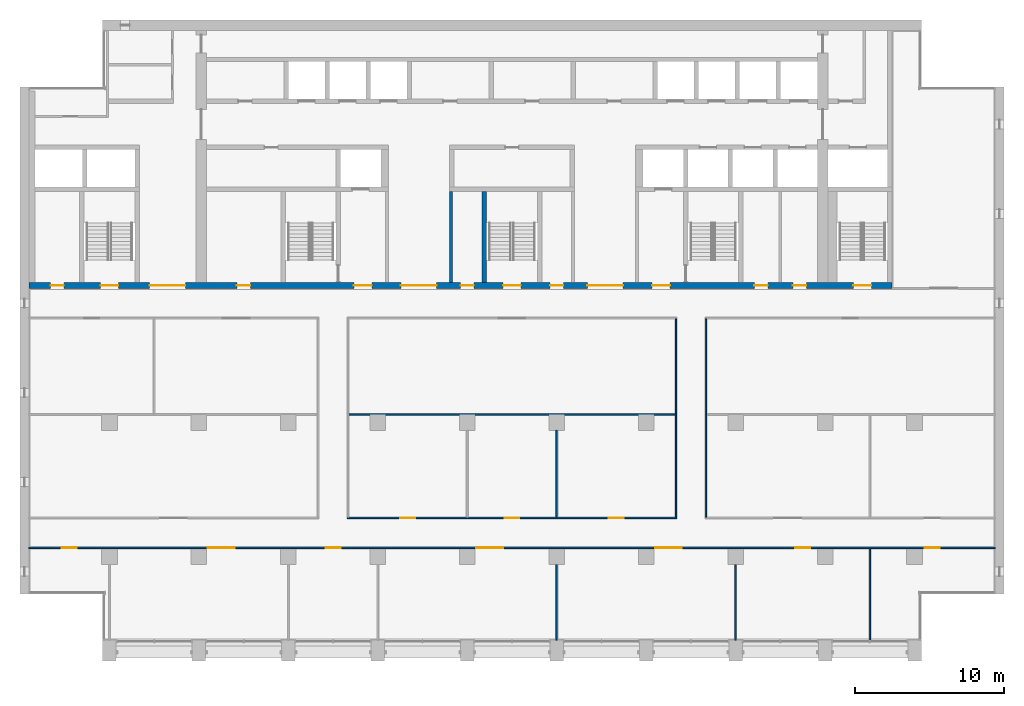
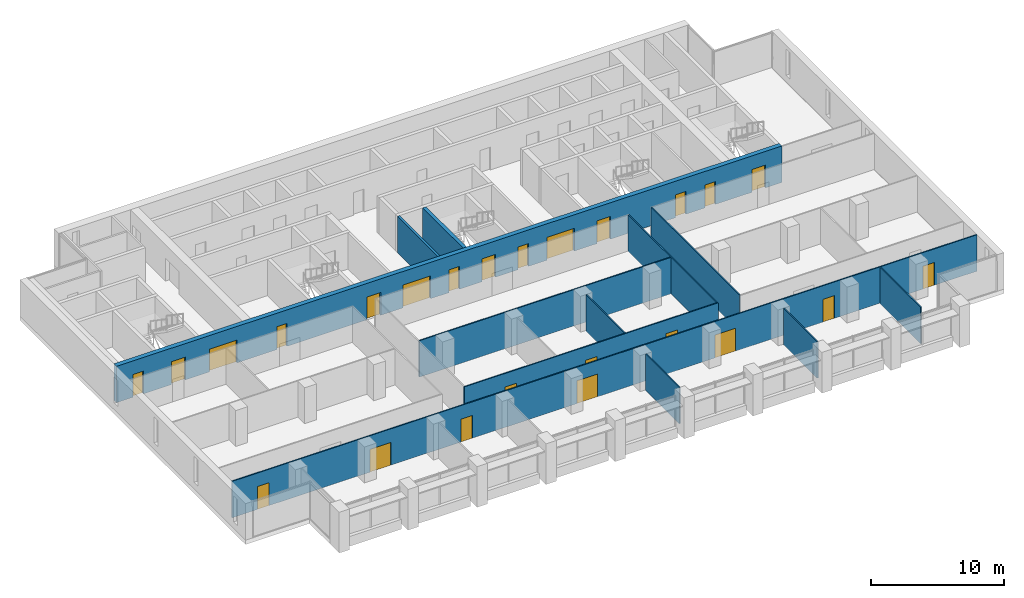
# One storey, part 9 of 17: 24 doors, 12 walls, 24 openings.
"""IFC4 building model written with IfcOpenShell, lengths in metres."""

from ifc_helpers import new_model, si_unit, direction, frame, frame_2d, origin, place, context, subcontext, project, spatial, rectangle, extrude, material, layer, layer_set, type_object, element, fill, save


model = new_model("IFC4")

# Units and contexts
model_context = context("Model", 3, precision=1e-05, world=origin(), true_north=direction((0.0, 1.0)))
body_context = subcontext(model_context, "Body", "Model", "MODEL_VIEW")
ifc_project = project(units=[si_unit("LENGTHUNIT", "METRE"), si_unit("AREAUNIT", "SQUARE_METRE"), si_unit("VOLUMEUNIT", "CUBIC_METRE"), si_unit("PLANEANGLEUNIT", "RADIAN"), si_unit("MASSUNIT", "GRAM", prefix="KILO")], contexts=[model_context])

# Site, building, storey
site_placement = place(None, origin())
site = spatial("IfcSite", under=ifc_project, at=site_placement, CompositionType="ELEMENT")
building_placement = place(site_placement, origin())
building = spatial("IfcBuilding", under=site, at=building_placement, Name="Calvaro Tower", CompositionType="ELEMENT")
storey_placement = place(building_placement, frame((0.0, 0.0, 200.5)))
storey = spatial("IfcBuildingStorey", under=building, at=storey_placement, Name="L50", CompositionType="ELEMENT", Elevation=200.5)

# Walls
ifc_material_1 = material(Name="Blockwork partition", Category="masonry")
ifc_layer_1 = layer(ifc_material_1, 0.199951171875)
ifc_layer_set_1 = layer_set([ifc_layer_1], Name="Blockwork partition")
wall_type_1 = type_object("IfcWallType", Name="Core partition 200 REI 120", PredefinedType="PARTITIONING", material=ifc_layer_set_1)
wall_1_placement = place(storey_placement, frame((34.89990234375, 28.39990234375, 0.0), z_axis=(0.0, 0.0, 1.0), x_axis=(0.0, 1.0, 0.0)))
element("IfcWall", 1, at=wall_1_placement, inside=storey, type_object=wall_type_1, Name="Core partition", PredefinedType="PARTITIONING", context=body_context, shape_type="SweptSolid", body=[
    extrude(rectangle(XDim=6.10009765625, YDim=0.199951171875, at=frame_2d((3.050048828125, 0.0))), origin(), (0.0, 0.0, 1.0), 3.35009765625),
])
ifc_material_2 = material(Name="Concrete C50/60", Category="concrete")
ifc_layer_2 = layer(ifc_material_2, 0.300048828125)
ifc_layer_set_2 = layer_set([ifc_layer_2], Name="Concrete C50/60")
wall_type_2 = type_object("IfcWallType", Name="Core wall C50/60 300", PredefinedType="SHEAR", material=ifc_layer_set_2)
wall_2_placement = place(storey_placement, frame((37.14990234375, 28.39990234375, 0.0), z_axis=(0.0, 0.0, 1.0), x_axis=(0.0, 1.0, 0.0)))
element("IfcWall", 2, at=wall_2_placement, inside=storey, type_object=wall_type_2, Name="Core wall, stair enclosure", PredefinedType="SHEAR", context=body_context, shape_type="SweptSolid", body=[
    extrude(rectangle(XDim=6.10009765625, YDim=0.300048828125, at=frame_2d((3.050048828125, 0.0))), origin(), (0.0, 0.0, 1.0), 3.35009765625),
])

# Wall, openings, doors
ifc_material_3 = material(Name="Concrete C50/60", Category="concrete")
ifc_layer_3 = layer(ifc_material_3, 0.39990234375)
ifc_layer_set_3 = layer_set([ifc_layer_3], Name="Concrete C50/60")
wall_type_3 = type_object("IfcWallType", Name="Core wall C50/60 400", PredefinedType="SHEAR", material=ifc_layer_set_3)
wall_3_placement = place(storey_placement, frame((6.60009765625, 28.199951171875, 0.0), z_axis=(0.0, 0.0, 1.0), x_axis=(1.0, 0.0, 0.0)))
wall_3 = element("IfcWall", 3, at=wall_3_placement, inside=storey, type_object=wall_type_3, Name="Core wall, front", PredefinedType="SHEAR", context=body_context, shape_type="SweptSolid", body=[
    extrude(rectangle(XDim=57.89990234375, YDim=0.39990234375, at=frame_2d((28.949951171875, 0.0))), origin(), (0.0, 0.0, 1.0), 3.35009765625),
])
opening_1_placement = place(wall_3_placement, frame((13.949951171875, 0.0, 0.0)))
opening_1 = element("IfcOpeningElement", 4, at=opening_1_placement, cuts=wall_3, Name="Opening RD9E", PredefinedType="OPENING", context=body_context, shape_type="SweptSolid", body=[
    extrude(rectangle(XDim=0.89990234375, YDim=2.10009765625, at=frame_2d((0.449951171875, 1.050048828125))), frame((0.0, 0.2099609375, 0.0), z_axis=(0.0, -1.0, 0.0), x_axis=(1.0, 0.0, 0.0)), (0.0, 0.0, 1.0), 0.419921875),
])
opening_2_placement = place(wall_3_placement, frame((48.66259765625, 0.0, 0.0)))
opening_2 = element("IfcOpeningElement", 5, at=opening_2_placement, cuts=wall_3, Name="Opening RD9C", PredefinedType="OPENING", context=body_context, shape_type="SweptSolid", body=[
    extrude(rectangle(XDim=0.89990234375, YDim=2.10009765625, at=frame_2d((0.449951171875, 1.050048828125))), frame((0.0, 0.2099609375, 0.0), z_axis=(0.0, -1.0, 0.0), x_axis=(1.0, 0.0, 0.0)), (0.0, 0.0, 1.0), 0.419921875),
])
opening_3_placement = place(wall_3_placement, frame((51.237548828125, 0.0, 0.0)))
opening_3 = element("IfcOpeningElement", 6, at=opening_3_placement, cuts=wall_3, Name="Opening RD9C", PredefinedType="OPENING", context=body_context, shape_type="SweptSolid", body=[
    extrude(rectangle(XDim=0.89990234375, YDim=2.10009765625, at=frame_2d((0.449951171875, 1.050048828125))), frame((0.0, 0.2099609375, 0.0), z_axis=(0.0, -1.0, 0.0), x_axis=(1.0, 0.0, 0.0)), (0.0, 0.0, 1.0), 0.419921875),
])
opening_4_placement = place(wall_3_placement, frame((1.449951171875, 0.0, 0.0)))
opening_4 = element("IfcOpeningElement", 7, at=opening_4_placement, cuts=wall_3, Name="Opening RD9C", PredefinedType="OPENING", context=body_context, shape_type="SweptSolid", body=[
    extrude(rectangle(XDim=0.89990234375, YDim=2.10009765625, at=frame_2d((0.449951171875, 1.050048828125))), frame((0.0, 0.2099609375, 0.0), z_axis=(0.0, -1.0, 0.0), x_axis=(1.0, 0.0, 0.0)), (0.0, 0.0, 1.0), 0.419921875),
])
opening_5_placement = place(wall_3_placement, frame((4.800048828125, 0.0, 0.0)))
opening_5 = element("IfcOpeningElement", 8, at=opening_5_placement, cuts=wall_3, Name="Opening SD12D", PredefinedType="OPENING", context=body_context, shape_type="SweptSolid", body=[
    extrude(rectangle(XDim=1.199951171875, YDim=2.10009765625, at=frame_2d((0.60009765625, 1.050048828125))), frame((0.0, 0.2099609375, 0.0), z_axis=(0.0, -1.0, 0.0), x_axis=(1.0, 0.0, 0.0)), (0.0, 0.0, 1.0), 0.419921875),
])
opening_6_placement = place(wall_3_placement, frame((31.800048828125, 0.0, 0.0)))
opening_6 = element("IfcOpeningElement", 9, at=opening_6_placement, cuts=wall_3, Name="Opening SD12D", PredefinedType="OPENING", context=body_context, shape_type="SweptSolid", body=[
    extrude(rectangle(XDim=1.199951171875, YDim=2.10009765625, at=frame_2d((0.60009765625, 1.050048828125))), frame((0.0, 0.2099609375, 0.0), z_axis=(0.0, -1.0, 0.0), x_axis=(1.0, 0.0, 0.0)), (0.0, 0.0, 1.0), 0.419921875),
])
opening_7_placement = place(wall_3_placement, frame((55.300048828125, 0.0, 0.0)))
opening_7 = element("IfcOpeningElement", 10, at=opening_7_placement, cuts=wall_3, Name="Opening SD12D", PredefinedType="OPENING", context=body_context, shape_type="SweptSolid", body=[
    extrude(rectangle(XDim=1.199951171875, YDim=2.10009765625, at=frame_2d((0.60009765625, 1.050048828125))), frame((0.0, 0.2099609375, 0.0), z_axis=(0.0, -1.0, 0.0), x_axis=(1.0, 0.0, 0.0)), (0.0, 0.0, 1.0), 0.419921875),
])
opening_8_placement = place(wall_3_placement, frame((21.800048828125, 0.0, 0.0)))
opening_8 = element("IfcOpeningElement", 11, at=opening_8_placement, cuts=wall_3, Name="Opening FD12F", PredefinedType="OPENING", context=body_context, shape_type="SweptSolid", body=[
    extrude(rectangle(XDim=1.199951171875, YDim=2.10009765625, at=frame_2d((0.60009765625, 1.050048828125))), frame((0.0, 0.2099609375, 0.0), z_axis=(0.0, -1.0, 0.0), x_axis=(1.0, 0.0, 0.0)), (0.0, 0.0, 1.0), 0.419921875),
])
opening_9_placement = place(wall_3_placement, frame((41.800048828125, 0.0, 0.0)))
opening_9 = element("IfcOpeningElement", 12, at=opening_9_placement, cuts=wall_3, Name="Opening FD12F", PredefinedType="OPENING", context=body_context, shape_type="SweptSolid", body=[
    extrude(rectangle(XDim=1.199951171875, YDim=2.10009765625, at=frame_2d((0.60009765625, 1.050048828125))), frame((0.0, 0.2099609375, 0.0), z_axis=(0.0, -1.0, 0.0), x_axis=(1.0, 0.0, 0.0)), (0.0, 0.0, 1.0), 0.419921875),
])
opening_10_placement = place(wall_3_placement, frame((24.949951171875, 0.0, 0.0)))
opening_10 = element("IfcOpeningElement", 13, at=opening_10_placement, cuts=wall_3, Name="Opening DD24D", PredefinedType="OPENING", context=body_context, shape_type="SweptSolid", body=[
    extrude(rectangle(XDim=2.39990234375, YDim=2.10009765625, at=frame_2d((1.199951171875, 1.050048828125))), frame((0.0, 0.2099609375, 0.0), z_axis=(0.0, -1.0, 0.0), x_axis=(1.0, 0.0, 0.0)), (0.0, 0.0, 1.0), 0.419921875),
])
opening_11_placement = place(wall_3_placement, frame((37.449951171875, 0.0, 0.0)))
opening_11 = element("IfcOpeningElement", 14, at=opening_11_placement, cuts=wall_3, Name="Opening DD24D", PredefinedType="OPENING", context=body_context, shape_type="SweptSolid", body=[
    extrude(rectangle(XDim=2.39990234375, YDim=2.10009765625, at=frame_2d((1.199951171875, 1.050048828125))), frame((0.0, 0.2099609375, 0.0), z_axis=(0.0, -1.0, 0.0), x_axis=(1.0, 0.0, 0.0)), (0.0, 0.0, 1.0), 0.419921875),
])
opening_12_placement = place(wall_3_placement, frame((8.10009765625, 0.0, 0.0)))
opening_12 = element("IfcOpeningElement", 15, at=opening_12_placement, cuts=wall_3, Name="Opening DD24D", PredefinedType="OPENING", context=body_context, shape_type="SweptSolid", body=[
    extrude(rectangle(XDim=2.39990234375, YDim=2.10009765625, at=frame_2d((1.199951171875, 1.050048828125))), frame((0.0, 0.2099609375, 0.0), z_axis=(0.0, -1.0, 0.0), x_axis=(1.0, 0.0, 0.0)), (0.0, 0.0, 1.0), 0.419921875),
])
opening_13_placement = place(wall_3_placement, frame((28.949951171875, 0.0, 0.0)))
opening_13 = element("IfcOpeningElement", 16, at=opening_13_placement, cuts=wall_3, Name="Opening RD9E", PredefinedType="OPENING", context=body_context, shape_type="SweptSolid", body=[
    extrude(rectangle(XDim=0.89990234375, YDim=2.10009765625, at=frame_2d((0.449951171875, 1.050048828125))), frame((0.0, 0.2099609375, 0.0), z_axis=(0.0, -1.0, 0.0), x_axis=(1.0, 0.0, 0.0)), (0.0, 0.0, 1.0), 0.419921875),
])
opening_14_placement = place(wall_3_placement, frame((34.949951171875, 0.0, 0.0)))
opening_14 = element("IfcOpeningElement", 17, at=opening_14_placement, cuts=wall_3, Name="Opening RD9E", PredefinedType="OPENING", context=body_context, shape_type="SweptSolid", body=[
    extrude(rectangle(XDim=0.89990234375, YDim=2.10009765625, at=frame_2d((0.449951171875, 1.050048828125))), frame((0.0, 0.2099609375, 0.0), z_axis=(0.0, -1.0, 0.0), x_axis=(1.0, 0.0, 0.0)), (0.0, 0.0, 1.0), 0.419921875),
])
ifc_material_4 = material(Name="Steel door set", Category="steel")
door_type_1 = type_object("IfcDoorType", Name="Fire door 1200 FD60S", OperationType="SINGLE_SWING_LEFT", PredefinedType="DOOR", material=ifc_material_4)
door_1_placement = place(opening_8_placement, origin())
door_1 = element("IfcDoor", 18, at=door_1_placement, inside=storey, type_object=door_type_1, Name="Fire door", OperationType="SINGLE_SWING_LEFT", OverallHeight=2.10009765625, OverallWidth=1.199951171875, PredefinedType="DOOR", context=body_context, shape_type="SweptSolid", body=[
    extrude(rectangle(XDim=1.199951171875, YDim=2.10009765625, at=frame_2d((0.60009765625, 1.050048828125))), frame((0.0, 0.02490234375, 0.0), z_axis=(0.0, -1.0, 0.0), x_axis=(1.0, 0.0, 0.0)), (0.0, 0.0, 1.0), 0.050048828125),
])
fill(opening_8, door_1)
door_2_placement = place(opening_9_placement, origin())
door_2 = element("IfcDoor", 19, at=door_2_placement, inside=storey, type_object=door_type_1, Name="Fire door", OperationType="SINGLE_SWING_LEFT", OverallHeight=2.10009765625, OverallWidth=1.199951171875, PredefinedType="DOOR", context=body_context, shape_type="SweptSolid", body=[
    extrude(rectangle(XDim=1.199951171875, YDim=2.10009765625, at=frame_2d((0.60009765625, 1.050048828125))), frame((0.0, 0.02490234375, 0.0), z_axis=(0.0, -1.0, 0.0), x_axis=(1.0, 0.0, 0.0)), (0.0, 0.0, 1.0), 0.050048828125),
])
fill(opening_9, door_2)
ifc_material_5 = material(Name="Steel door set", Category="steel")
door_type_2 = type_object("IfcDoorType", Name="Lobby double door 2400 FD30S", OperationType="DOUBLE_DOOR_SINGLE_SWING", PredefinedType="DOOR", material=ifc_material_5)
door_3_placement = place(opening_10_placement, origin())
door_3 = element("IfcDoor", 20, at=door_3_placement, inside=storey, type_object=door_type_2, Name="Lobby double door", OperationType="DOUBLE_DOOR_SINGLE_SWING", OverallHeight=2.10009765625, OverallWidth=2.39990234375, PredefinedType="DOOR", context=body_context, shape_type="SweptSolid", body=[
    extrude(rectangle(XDim=2.39990234375, YDim=2.10009765625, at=frame_2d((1.199951171875, 1.050048828125))), frame((0.0, 0.02490234375, 0.0), z_axis=(0.0, -1.0, 0.0), x_axis=(1.0, 0.0, 0.0)), (0.0, 0.0, 1.0), 0.050048828125),
])
fill(opening_10, door_3)
door_4_placement = place(opening_11_placement, origin())
door_4 = element("IfcDoor", 21, at=door_4_placement, inside=storey, type_object=door_type_2, Name="Lobby double door", OperationType="DOUBLE_DOOR_SINGLE_SWING", OverallHeight=2.10009765625, OverallWidth=2.39990234375, PredefinedType="DOOR", context=body_context, shape_type="SweptSolid", body=[
    extrude(rectangle(XDim=2.39990234375, YDim=2.10009765625, at=frame_2d((1.199951171875, 1.050048828125))), frame((0.0, 0.02490234375, 0.0), z_axis=(0.0, -1.0, 0.0), x_axis=(1.0, 0.0, 0.0)), (0.0, 0.0, 1.0), 0.050048828125),
])
fill(opening_11, door_4)
door_5_placement = place(opening_12_placement, origin())
door_5 = element("IfcDoor", 22, at=door_5_placement, inside=storey, type_object=door_type_2, Name="Lobby double door", OperationType="DOUBLE_DOOR_SINGLE_SWING", OverallHeight=2.10009765625, OverallWidth=2.39990234375, PredefinedType="DOOR", context=body_context, shape_type="SweptSolid", body=[
    extrude(rectangle(XDim=2.39990234375, YDim=2.10009765625, at=frame_2d((1.199951171875, 1.050048828125))), frame((0.0, 0.02490234375, 0.0), z_axis=(0.0, -1.0, 0.0), x_axis=(1.0, 0.0, 0.0)), (0.0, 0.0, 1.0), 0.050048828125),
])
fill(opening_12, door_5)
ifc_material_6 = material(Name="Steel door set", Category="steel")
door_type_3 = type_object("IfcDoorType", Name="Room door 900 FD30", OperationType="SINGLE_SWING_LEFT", PredefinedType="DOOR", material=ifc_material_6)
door_6_placement = place(opening_2_placement, origin())
door_6 = element("IfcDoor", 23, at=door_6_placement, inside=storey, type_object=door_type_3, Name="Room door", OperationType="SINGLE_SWING_LEFT", OverallHeight=2.10009765625, OverallWidth=0.89990234375, PredefinedType="DOOR", context=body_context, shape_type="SweptSolid", body=[
    extrude(rectangle(XDim=0.89990234375, YDim=2.10009765625, at=frame_2d((0.449951171875, 1.050048828125))), frame((0.0, 0.02490234375, 0.0), z_axis=(0.0, -1.0, 0.0), x_axis=(1.0, 0.0, 0.0)), (0.0, 0.0, 1.0), 0.050048828125),
])
fill(opening_2, door_6)
door_7_placement = place(opening_3_placement, origin())
door_7 = element("IfcDoor", 24, at=door_7_placement, inside=storey, type_object=door_type_3, Name="Room door", OperationType="SINGLE_SWING_LEFT", OverallHeight=2.10009765625, OverallWidth=0.89990234375, PredefinedType="DOOR", context=body_context, shape_type="SweptSolid", body=[
    extrude(rectangle(XDim=0.89990234375, YDim=2.10009765625, at=frame_2d((0.449951171875, 1.050048828125))), frame((0.0, 0.02490234375, 0.0), z_axis=(0.0, -1.0, 0.0), x_axis=(1.0, 0.0, 0.0)), (0.0, 0.0, 1.0), 0.050048828125),
])
fill(opening_3, door_7)
door_8_placement = place(opening_4_placement, origin())
door_8 = element("IfcDoor", 25, at=door_8_placement, inside=storey, type_object=door_type_3, Name="Room door", OperationType="SINGLE_SWING_LEFT", OverallHeight=2.10009765625, OverallWidth=0.89990234375, PredefinedType="DOOR", context=body_context, shape_type="SweptSolid", body=[
    extrude(rectangle(XDim=0.89990234375, YDim=2.10009765625, at=frame_2d((0.449951171875, 1.050048828125))), frame((0.0, 0.02490234375, 0.0), z_axis=(0.0, -1.0, 0.0), x_axis=(1.0, 0.0, 0.0)), (0.0, 0.0, 1.0), 0.050048828125),
])
fill(opening_4, door_8)
ifc_material_7 = material(Name="Steel door set", Category="steel")
door_type_4 = type_object("IfcDoorType", Name="Room door 900 FD60", OperationType="SINGLE_SWING_LEFT", PredefinedType="DOOR", material=ifc_material_7)
door_9_placement = place(opening_1_placement, origin())
door_9 = element("IfcDoor", 26, at=door_9_placement, inside=storey, type_object=door_type_4, Name="Room door", OperationType="SINGLE_SWING_LEFT", OverallHeight=2.10009765625, OverallWidth=0.89990234375, PredefinedType="DOOR", context=body_context, shape_type="SweptSolid", body=[
    extrude(rectangle(XDim=0.89990234375, YDim=2.10009765625, at=frame_2d((0.449951171875, 1.050048828125))), frame((0.0, 0.02490234375, 0.0), z_axis=(0.0, -1.0, 0.0), x_axis=(1.0, 0.0, 0.0)), (0.0, 0.0, 1.0), 0.050048828125),
])
fill(opening_1, door_9)
door_10_placement = place(opening_13_placement, origin())
door_10 = element("IfcDoor", 27, at=door_10_placement, inside=storey, type_object=door_type_4, Name="Room door", OperationType="SINGLE_SWING_LEFT", OverallHeight=2.10009765625, OverallWidth=0.89990234375, PredefinedType="DOOR", context=body_context, shape_type="SweptSolid", body=[
    extrude(rectangle(XDim=0.89990234375, YDim=2.10009765625, at=frame_2d((0.449951171875, 1.050048828125))), frame((0.0, 0.02490234375, 0.0), z_axis=(0.0, -1.0, 0.0), x_axis=(1.0, 0.0, 0.0)), (0.0, 0.0, 1.0), 0.050048828125),
])
fill(opening_13, door_10)
door_11_placement = place(opening_14_placement, origin())
door_11 = element("IfcDoor", 28, at=door_11_placement, inside=storey, type_object=door_type_4, Name="Room door", OperationType="SINGLE_SWING_LEFT", OverallHeight=2.10009765625, OverallWidth=0.89990234375, PredefinedType="DOOR", context=body_context, shape_type="SweptSolid", body=[
    extrude(rectangle(XDim=0.89990234375, YDim=2.10009765625, at=frame_2d((0.449951171875, 1.050048828125))), frame((0.0, 0.02490234375, 0.0), z_axis=(0.0, -1.0, 0.0), x_axis=(1.0, 0.0, 0.0)), (0.0, 0.0, 1.0), 0.050048828125),
])
fill(opening_14, door_11)
ifc_material_8 = material(Name="Steel door set", Category="steel")
door_type_5 = type_object("IfcDoorType", Name="Stair door 1200 FD30S", OperationType="SINGLE_SWING_LEFT", PredefinedType="DOOR", material=ifc_material_8)
door_12_placement = place(opening_5_placement, origin())
door_12 = element("IfcDoor", 29, at=door_12_placement, inside=storey, type_object=door_type_5, Name="Stair door", OperationType="SINGLE_SWING_LEFT", OverallHeight=2.10009765625, OverallWidth=1.199951171875, PredefinedType="DOOR", context=body_context, shape_type="SweptSolid", body=[
    extrude(rectangle(XDim=1.199951171875, YDim=2.10009765625, at=frame_2d((0.60009765625, 1.050048828125))), frame((0.0, 0.02490234375, 0.0), z_axis=(0.0, -1.0, 0.0), x_axis=(1.0, 0.0, 0.0)), (0.0, 0.0, 1.0), 0.050048828125),
])
fill(opening_5, door_12)
door_13_placement = place(opening_6_placement, origin())
door_13 = element("IfcDoor", 30, at=door_13_placement, inside=storey, type_object=door_type_5, Name="Stair door", OperationType="SINGLE_SWING_LEFT", OverallHeight=2.10009765625, OverallWidth=1.199951171875, PredefinedType="DOOR", context=body_context, shape_type="SweptSolid", body=[
    extrude(rectangle(XDim=1.199951171875, YDim=2.10009765625, at=frame_2d((0.60009765625, 1.050048828125))), frame((0.0, 0.02490234375, 0.0), z_axis=(0.0, -1.0, 0.0), x_axis=(1.0, 0.0, 0.0)), (0.0, 0.0, 1.0), 0.050048828125),
])
fill(opening_6, door_13)
door_14_placement = place(opening_7_placement, origin())
door_14 = element("IfcDoor", 31, at=door_14_placement, inside=storey, type_object=door_type_5, Name="Stair door", OperationType="SINGLE_SWING_LEFT", OverallHeight=2.10009765625, OverallWidth=1.199951171875, PredefinedType="DOOR", context=body_context, shape_type="SweptSolid", body=[
    extrude(rectangle(XDim=1.199951171875, YDim=2.10009765625, at=frame_2d((0.60009765625, 1.050048828125))), frame((0.0, 0.02490234375, 0.0), z_axis=(0.0, -1.0, 0.0), x_axis=(1.0, 0.0, 0.0)), (0.0, 0.0, 1.0), 0.050048828125),
])
fill(opening_7, door_14)

ifc_material_9 = material(Name="Plasterboard on steel studs", Category="steel")
ifc_layer_4 = layer(ifc_material_9, 0.10009765625)
ifc_layer_set_4 = layer_set([ifc_layer_4], Name="Plasterboard on steel studs")
wall_type_4 = type_object("IfcWallType", Name="Partition 100", PredefinedType="PARTITIONING", material=ifc_layer_set_4)
wall_4_placement = place(storey_placement, frame((6.60009765625, 10.60009765625, 0.0), z_axis=(0.0, 0.0, 1.0), x_axis=(1.0, 0.0, 0.0)))
wall_4 = element("IfcWall", 32, at=wall_4_placement, inside=storey, type_object=wall_type_4, Name="Partition T29.W001", PredefinedType="PARTITIONING", context=body_context, shape_type="SweptSolid", body=[
    extrude(rectangle(XDim=64.7998046875, YDim=0.10009765625, at=frame_2d((32.39990234375, 0.0))), origin(), (0.0, 0.0, 1.0), 3.35009765625),
])
opening_15_placement = place(wall_4_placement, frame((12.0, 0.0, 0.0)))
opening_15 = element("IfcOpeningElement", 33, at=opening_15_placement, cuts=wall_4, Name="Opening T29.001", PredefinedType="OPENING", context=body_context, shape_type="SweptSolid", body=[
    extrude(rectangle(XDim=1.800048828125, YDim=2.10009765625, at=frame_2d((0.89990234375, 1.050048828125))), frame((0.0, 0.06005859375, 0.0), z_axis=(0.0, -1.0, 0.0), x_axis=(1.0, 0.0, 0.0)), (0.0, 0.0, 1.0), 0.1201171875),
])
opening_16_placement = place(wall_4_placement, frame((19.89990234375, 0.0, 0.0)))
opening_16 = element("IfcOpeningElement", 34, at=opening_16_placement, cuts=wall_4, Name="Opening T29.002", PredefinedType="OPENING", context=body_context, shape_type="SweptSolid", body=[
    extrude(rectangle(XDim=1.0, YDim=2.10009765625, at=frame_2d((0.5, 1.050048828125))), frame((0.0, 0.06005859375, 0.0), z_axis=(0.0, -1.0, 0.0), x_axis=(1.0, 0.0, 0.0)), (0.0, 0.0, 1.0), 0.1201171875),
])
opening_17_placement = place(wall_4_placement, frame((30.0, 0.0, 0.0)))
opening_17 = element("IfcOpeningElement", 35, at=opening_17_placement, cuts=wall_4, Name="Opening T29.003", PredefinedType="OPENING", context=body_context, shape_type="SweptSolid", body=[
    extrude(rectangle(XDim=1.800048828125, YDim=2.10009765625, at=frame_2d((0.89990234375, 1.050048828125))), frame((0.0, 0.06005859375, 0.0), z_axis=(0.0, -1.0, 0.0), x_axis=(1.0, 0.0, 0.0)), (0.0, 0.0, 1.0), 0.1201171875),
])
opening_18_placement = place(wall_4_placement, frame((42.0, 0.0, 0.0)))
opening_18 = element("IfcOpeningElement", 36, at=opening_18_placement, cuts=wall_4, Name="Opening T29.004", PredefinedType="OPENING", context=body_context, shape_type="SweptSolid", body=[
    extrude(rectangle(XDim=1.800048828125, YDim=2.10009765625, at=frame_2d((0.89990234375, 1.050048828125))), frame((0.0, 0.06005859375, 0.0), z_axis=(0.0, -1.0, 0.0), x_axis=(1.0, 0.0, 0.0)), (0.0, 0.0, 1.0), 0.1201171875),
])
opening_19_placement = place(wall_4_placement, frame((51.39990234375, 0.0, 0.0)))
opening_19 = element("IfcOpeningElement", 37, at=opening_19_placement, cuts=wall_4, Name="Opening T29.005", PredefinedType="OPENING", context=body_context, shape_type="SweptSolid", body=[
    extrude(rectangle(XDim=1.0, YDim=2.10009765625, at=frame_2d((0.5, 1.050048828125))), frame((0.0, 0.06005859375, 0.0), z_axis=(0.0, -1.0, 0.0), x_axis=(1.0, 0.0, 0.0)), (0.0, 0.0, 1.0), 0.1201171875),
])
opening_20_placement = place(wall_4_placement, frame((60.10009765625, 0.0, 0.0)))
opening_20 = element("IfcOpeningElement", 38, at=opening_20_placement, cuts=wall_4, Name="Opening T29.006", PredefinedType="OPENING", context=body_context, shape_type="SweptSolid", body=[
    extrude(rectangle(XDim=1.0, YDim=2.10009765625, at=frame_2d((0.5, 1.050048828125))), frame((0.0, 0.06005859375, 0.0), z_axis=(0.0, -1.0, 0.0), x_axis=(1.0, 0.0, 0.0)), (0.0, 0.0, 1.0), 0.1201171875),
])
opening_21_placement = place(wall_4_placement, frame((2.199951171875, 0.0, 0.0)))
opening_21 = element("IfcOpeningElement", 39, at=opening_21_placement, cuts=wall_4, Name="Opening T29.007", PredefinedType="OPENING", context=body_context, shape_type="SweptSolid", body=[
    extrude(rectangle(XDim=1.0, YDim=2.10009765625, at=frame_2d((0.5, 1.050048828125))), frame((0.0, 0.06005859375, 0.0), z_axis=(0.0, -1.0, 0.0), x_axis=(1.0, 0.0, 0.0)), (0.0, 0.0, 1.0), 0.1201171875),
])
ifc_material_10 = material(Name="Timber", Category="wood")
door_type_6 = type_object("IfcDoorType", Name="Internal double door 1800 x 2100", OperationType="DOUBLE_DOOR_SINGLE_SWING", PredefinedType="DOOR", material=ifc_material_10)
door_15_placement = place(opening_15_placement, origin())
door_15 = element("IfcDoor", 40, at=door_15_placement, inside=storey, type_object=door_type_6, Name="Door T29.001", OperationType="DOUBLE_DOOR_SINGLE_SWING", OverallHeight=2.10009765625, OverallWidth=1.800048828125, PredefinedType="DOOR", context=body_context, shape_type="SweptSolid", body=[
    extrude(rectangle(XDim=1.800048828125, YDim=2.10009765625, at=frame_2d((0.89990234375, 1.050048828125))), frame((0.0, 0.02490234375, 0.0), z_axis=(0.0, -1.0, 0.0), x_axis=(1.0, 0.0, 0.0)), (0.0, 0.0, 1.0), 0.050048828125),
])
fill(opening_15, door_15)
door_16_placement = place(opening_17_placement, origin())
door_16 = element("IfcDoor", 41, at=door_16_placement, inside=storey, type_object=door_type_6, Name="Door T29.003", OperationType="DOUBLE_DOOR_SINGLE_SWING", OverallHeight=2.10009765625, OverallWidth=1.800048828125, PredefinedType="DOOR", context=body_context, shape_type="SweptSolid", body=[
    extrude(rectangle(XDim=1.800048828125, YDim=2.10009765625, at=frame_2d((0.89990234375, 1.050048828125))), frame((0.0, 0.02490234375, 0.0), z_axis=(0.0, -1.0, 0.0), x_axis=(1.0, 0.0, 0.0)), (0.0, 0.0, 1.0), 0.050048828125),
])
fill(opening_17, door_16)
door_17_placement = place(opening_18_placement, origin())
door_17 = element("IfcDoor", 42, at=door_17_placement, inside=storey, type_object=door_type_6, Name="Door T29.004", OperationType="DOUBLE_DOOR_SINGLE_SWING", OverallHeight=2.10009765625, OverallWidth=1.800048828125, PredefinedType="DOOR", context=body_context, shape_type="SweptSolid", body=[
    extrude(rectangle(XDim=1.800048828125, YDim=2.10009765625, at=frame_2d((0.89990234375, 1.050048828125))), frame((0.0, 0.02490234375, 0.0), z_axis=(0.0, -1.0, 0.0), x_axis=(1.0, 0.0, 0.0)), (0.0, 0.0, 1.0), 0.050048828125),
])
fill(opening_18, door_17)
ifc_material_11 = material(Name="Timber", Category="wood")
door_type_7 = type_object("IfcDoorType", Name="Internal single door 1000 x 2100", OperationType="SINGLE_SWING_LEFT", PredefinedType="DOOR", material=ifc_material_11)
door_18_placement = place(opening_16_placement, origin())
door_18 = element("IfcDoor", 43, at=door_18_placement, inside=storey, type_object=door_type_7, Name="Door T29.002", OperationType="SINGLE_SWING_LEFT", OverallHeight=2.10009765625, OverallWidth=1.0, PredefinedType="DOOR", context=body_context, shape_type="SweptSolid", body=[
    extrude(rectangle(XDim=1.0, YDim=2.10009765625, at=frame_2d((0.5, 1.050048828125))), frame((0.0, 0.02490234375, 0.0), z_axis=(0.0, -1.0, 0.0), x_axis=(1.0, 0.0, 0.0)), (0.0, 0.0, 1.0), 0.050048828125),
])
fill(opening_16, door_18)
door_19_placement = place(opening_19_placement, origin())
door_19 = element("IfcDoor", 44, at=door_19_placement, inside=storey, type_object=door_type_7, Name="Door T29.005", OperationType="SINGLE_SWING_RIGHT", OverallHeight=2.10009765625, OverallWidth=1.0, PredefinedType="DOOR", context=body_context, shape_type="SweptSolid", body=[
    extrude(rectangle(XDim=1.0, YDim=2.10009765625, at=frame_2d((0.5, 1.050048828125))), frame((0.0, 0.02490234375, 0.0), z_axis=(0.0, -1.0, 0.0), x_axis=(1.0, 0.0, 0.0)), (0.0, 0.0, 1.0), 0.050048828125),
])
fill(opening_19, door_19)
door_20_placement = place(opening_20_placement, origin())
door_20 = element("IfcDoor", 45, at=door_20_placement, inside=storey, type_object=door_type_7, Name="Door T29.006", OperationType="SINGLE_SWING_RIGHT", OverallHeight=2.10009765625, OverallWidth=1.0, PredefinedType="DOOR", context=body_context, shape_type="SweptSolid", body=[
    extrude(rectangle(XDim=1.0, YDim=2.10009765625, at=frame_2d((0.5, 1.050048828125))), frame((0.0, 0.02490234375, 0.0), z_axis=(0.0, -1.0, 0.0), x_axis=(1.0, 0.0, 0.0)), (0.0, 0.0, 1.0), 0.050048828125),
])
fill(opening_20, door_20)
door_21_placement = place(opening_21_placement, origin())
door_21 = element("IfcDoor", 46, at=door_21_placement, inside=storey, type_object=door_type_7, Name="Door T29.007", OperationType="SINGLE_SWING_LEFT", OverallHeight=2.10009765625, OverallWidth=1.0, PredefinedType="DOOR", context=body_context, shape_type="SweptSolid", body=[
    extrude(rectangle(XDim=1.0, YDim=2.10009765625, at=frame_2d((0.5, 1.050048828125))), frame((0.0, 0.02490234375, 0.0), z_axis=(0.0, -1.0, 0.0), x_axis=(1.0, 0.0, 0.0)), (0.0, 0.0, 1.0), 0.050048828125),
])
fill(opening_21, door_21)

wall_5_placement = place(storey_placement, frame((27.949951171875, 12.60009765625, 0.0), z_axis=(0.0, 0.0, 1.0), x_axis=(1.0, 0.0, 0.0)))
wall_5 = element("IfcWall", 47, at=wall_5_placement, inside=storey, type_object=wall_type_4, Name="Partition T29.W003", PredefinedType="PARTITIONING", context=body_context, shape_type="SweptSolid", body=[
    extrude(rectangle(XDim=22.10009765625, YDim=0.10009765625, at=frame_2d((11.050048828125, 0.0))), origin(), (0.0, 0.0, 1.0), 3.35009765625),
])
opening_22_placement = place(wall_5_placement, frame((3.550048828125, 0.0, 0.0)))
opening_22 = element("IfcOpeningElement", 48, at=opening_22_placement, cuts=wall_5, Name="Opening T29.009", PredefinedType="OPENING", context=body_context, shape_type="SweptSolid", body=[
    extrude(rectangle(XDim=1.0, YDim=2.10009765625, at=frame_2d((0.5, 1.050048828125))), frame((0.0, 0.06005859375, 0.0), z_axis=(0.0, -1.0, 0.0), x_axis=(1.0, 0.0, 0.0)), (0.0, 0.0, 1.0), 0.1201171875),
])
opening_23_placement = place(wall_5_placement, frame((10.550048828125, 0.0, 0.0)))
opening_23 = element("IfcOpeningElement", 49, at=opening_23_placement, cuts=wall_5, Name="Opening T29.010", PredefinedType="OPENING", context=body_context, shape_type="SweptSolid", body=[
    extrude(rectangle(XDim=1.0, YDim=2.10009765625, at=frame_2d((0.5, 1.050048828125))), frame((0.0, 0.06005859375, 0.0), z_axis=(0.0, -1.0, 0.0), x_axis=(1.0, 0.0, 0.0)), (0.0, 0.0, 1.0), 0.1201171875),
])
opening_24_placement = place(wall_5_placement, frame((17.550048828125, 0.0, 0.0)))
opening_24 = element("IfcOpeningElement", 50, at=opening_24_placement, cuts=wall_5, Name="Opening T29.011", PredefinedType="OPENING", context=body_context, shape_type="SweptSolid", body=[
    extrude(rectangle(XDim=1.0, YDim=2.10009765625, at=frame_2d((0.5, 1.050048828125))), frame((0.0, 0.06005859375, 0.0), z_axis=(0.0, -1.0, 0.0), x_axis=(1.0, 0.0, 0.0)), (0.0, 0.0, 1.0), 0.1201171875),
])
door_22_placement = place(opening_22_placement, origin())
door_22 = element("IfcDoor", 51, at=door_22_placement, inside=storey, type_object=door_type_7, Name="Door T29.009", OperationType="SINGLE_SWING_LEFT", OverallHeight=2.10009765625, OverallWidth=1.0, PredefinedType="DOOR", context=body_context, shape_type="SweptSolid", body=[
    extrude(rectangle(XDim=1.0, YDim=2.10009765625, at=frame_2d((0.5, 1.050048828125))), frame((0.0, 0.02490234375, 0.0), z_axis=(0.0, -1.0, 0.0), x_axis=(1.0, 0.0, 0.0)), (0.0, 0.0, 1.0), 0.050048828125),
])
fill(opening_22, door_22)
door_23_placement = place(opening_23_placement, origin())
door_23 = element("IfcDoor", 52, at=door_23_placement, inside=storey, type_object=door_type_7, Name="Door T29.010", OperationType="SINGLE_SWING_RIGHT", OverallHeight=2.10009765625, OverallWidth=1.0, PredefinedType="DOOR", context=body_context, shape_type="SweptSolid", body=[
    extrude(rectangle(XDim=1.0, YDim=2.10009765625, at=frame_2d((0.5, 1.050048828125))), frame((0.0, 0.02490234375, 0.0), z_axis=(0.0, -1.0, 0.0), x_axis=(1.0, 0.0, 0.0)), (0.0, 0.0, 1.0), 0.050048828125),
])
fill(opening_23, door_23)
door_24_placement = place(opening_24_placement, origin())
door_24 = element("IfcDoor", 53, at=door_24_placement, inside=storey, type_object=door_type_7, Name="Door T29.011", OperationType="SINGLE_SWING_RIGHT", OverallHeight=2.10009765625, OverallWidth=1.0, PredefinedType="DOOR", context=body_context, shape_type="SweptSolid", body=[
    extrude(rectangle(XDim=1.0, YDim=2.10009765625, at=frame_2d((0.5, 1.050048828125))), frame((0.0, 0.02490234375, 0.0), z_axis=(0.0, -1.0, 0.0), x_axis=(1.0, 0.0, 0.0)), (0.0, 0.0, 1.0), 0.050048828125),
])
fill(opening_24, door_24)

# Walls
wall_6_placement = place(storey_placement, frame((28.050048828125, 19.550048828125, 0.0), z_axis=(0.0, 0.0, 1.0), x_axis=(1.0, 0.0, 0.0)))
element("IfcWall", 54, at=wall_6_placement, inside=storey, type_object=wall_type_4, Name="Partition T29.W006", PredefinedType="PARTITIONING", context=body_context, shape_type="SweptSolid", body=[
    extrude(rectangle(XDim=21.89990234375, YDim=0.10009765625, at=frame_2d((10.949951171875, 0.0))), origin(), (0.0, 0.0, 1.0), 3.35009765625),
])
wall_7_placement = place(storey_placement, frame((42.0, 4.39990234375, 0.0), z_axis=(0.0, 0.0, 1.0), x_axis=(0.0, 1.0, 0.0)))
element("IfcWall", 55, at=wall_7_placement, inside=storey, type_object=wall_type_4, Name="Partition T29.W019", PredefinedType="PARTITIONING", context=body_context, shape_type="SweptSolid", body=[
    extrude(rectangle(XDim=5.0751953125, YDim=0.10009765625, at=frame_2d((2.53759765625, 0.0))), origin(), (0.0, 0.0, 1.0), 3.35009765625),
])
wall_8_placement = place(storey_placement, frame((42.0, 12.64990234375, 0.0), z_axis=(0.0, 0.0, 1.0), x_axis=(0.0, 1.0, 0.0)))
element("IfcWall", 56, at=wall_8_placement, inside=storey, type_object=wall_type_4, Name="Partition T29.W020", PredefinedType="PARTITIONING", context=body_context, shape_type="SweptSolid", body=[
    extrude(rectangle(XDim=5.8251953125, YDim=0.10009765625, at=frame_2d((2.91259765625, 0.0))), origin(), (0.0, 0.0, 1.0), 3.35009765625),
])
for number, where, z_axis, x_axis, name in (
    (57, (50.0, 12.64990234375, 0.0), (0.0, 0.0, 1.0), (0.0, 1.0, 0.0), "Partition T29.W021"),
    (58, (52.0, 12.64990234375, 0.0), (0.0, 0.0, 1.0), (0.0, 1.0, 0.0), "Partition T29.W022"),
):
    element("IfcWall", number, at=place(storey_placement, frame(where, z_axis=z_axis, x_axis=x_axis)), inside=storey, type_object=wall_type_4, Name=name, PredefinedType="PARTITIONING", context=body_context, shape_type="SweptSolid", body=[
        extrude(rectangle(XDim=13.300048828125, YDim=0.10009765625, at=frame_2d((6.64990234375, 0.0))), origin(), (0.0, 0.0, 1.0), 3.35009765625),
    ])
wall_9_placement = place(storey_placement, frame((54.0, 4.39990234375, 0.0), z_axis=(0.0, 0.0, 1.0), x_axis=(0.0, 1.0, 0.0)))
element("IfcWall", 59, at=wall_9_placement, inside=storey, type_object=wall_type_4, Name="Partition T29.W023", PredefinedType="PARTITIONING", context=body_context, shape_type="SweptSolid", body=[
    extrude(rectangle(XDim=5.0751953125, YDim=0.10009765625, at=frame_2d((2.53759765625, 0.0))), origin(), (0.0, 0.0, 1.0), 3.35009765625),
])
wall_10_placement = place(storey_placement, frame((63.0, 4.39990234375, 0.0), z_axis=(0.0, 0.0, 1.0), x_axis=(0.0, 1.0, 0.0)))
element("IfcWall", 60, at=wall_10_placement, inside=storey, type_object=wall_type_4, Name="Partition T29.W024", PredefinedType="PARTITIONING", context=body_context, shape_type="SweptSolid", body=[
    extrude(rectangle(XDim=6.150146484375, YDim=0.10009765625, at=frame_2d((3.0751953125, 0.0))), origin(), (0.0, 0.0, 1.0), 3.35009765625),
])

save(model, "model.ifc")
